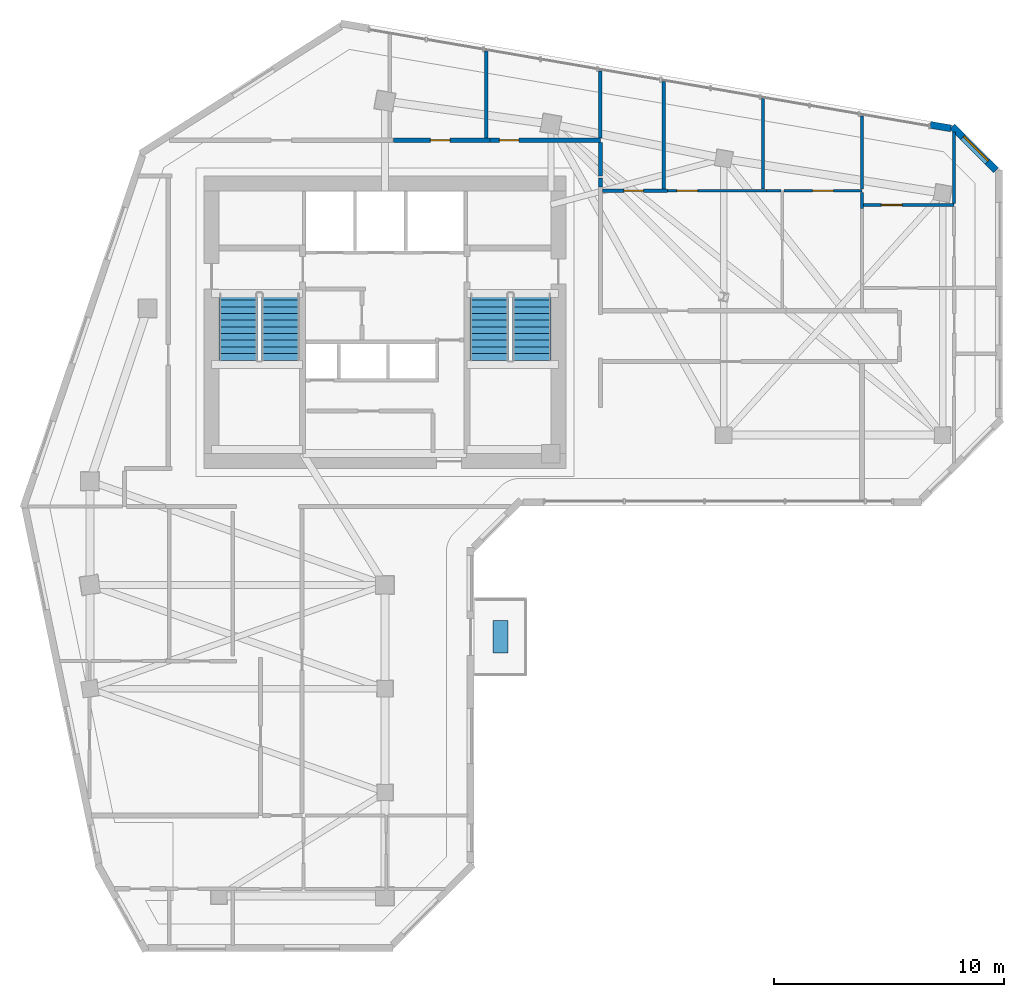
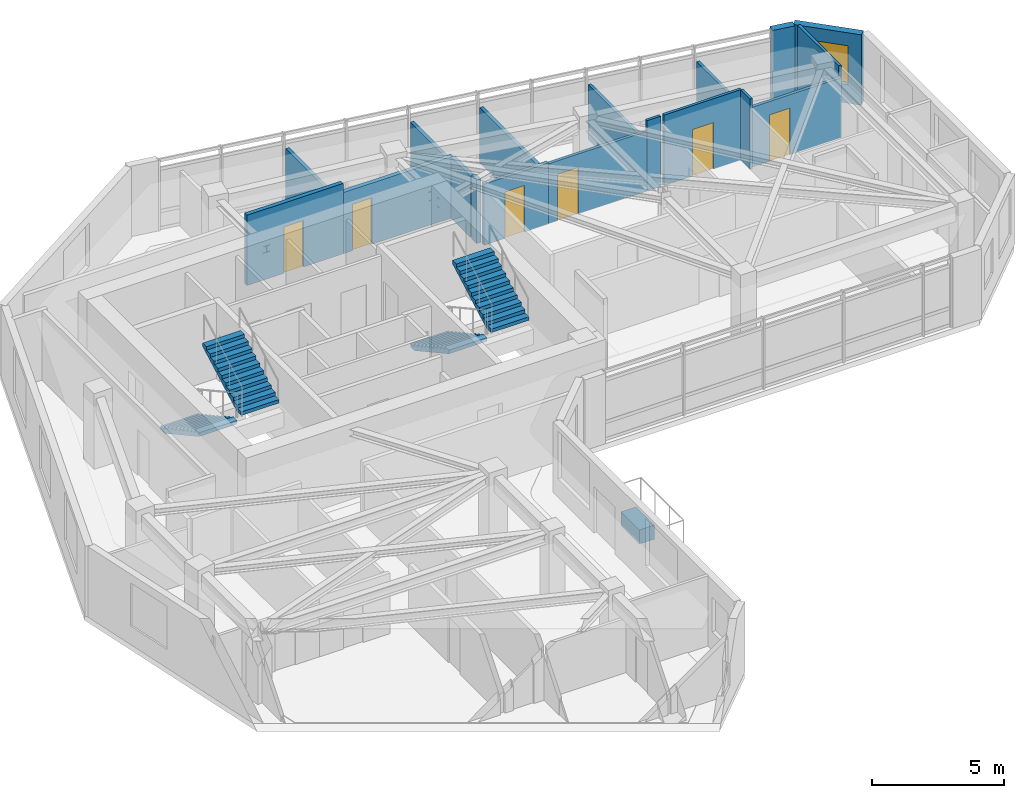
# One storey, part 7 of 10: 18 walls, 6 doors, 4 stair flights, 1 discrete accessory, 1 window, 7 openings, 2 elements without a shape of their own.
"""IFC4 building model written with IfcOpenShell, lengths in metres."""

from ifc_helpers import new_model, si_unit, direction, frame, frame_2d, origin, origin_2d, place, context, subcontext, project, spatial, polyline, rectangle, outline, extrude, source, transform, mapped, material, layer, layer_set, type_object, element, fill, aggregate, save


model = new_model("IFC4")

# Units and contexts
model_context = context("Model", 3, precision=1e-05, world=origin(), true_north=direction((0.0, 1.0)))
body_context = subcontext(model_context, "Body", "Model", "MODEL_VIEW")
ifc_project = project(units=[si_unit("LENGTHUNIT", "METRE"), si_unit("AREAUNIT", "SQUARE_METRE"), si_unit("VOLUMEUNIT", "CUBIC_METRE"), si_unit("PLANEANGLEUNIT", "RADIAN"), si_unit("MASSUNIT", "GRAM", prefix="KILO")], contexts=[model_context])

# Site, building, storey
site_placement = place(None, origin())
site = spatial("IfcSite", under=ifc_project, at=site_placement, CompositionType="ELEMENT")
building_placement = place(site_placement, origin())
building = spatial("IfcBuilding", under=site, at=building_placement, Name="Calvemar Wedge Station Tower", CompositionType="ELEMENT")
storey_placement = place(building_placement, frame((0.0, 0.0, 200.89990234375)))
storey = spatial("IfcBuildingStorey", under=building, at=storey_placement, Name="L50", CompositionType="ELEMENT", Elevation=200.89990234375)

# Wall, opening, door
ifc_material_1 = material(Name="Double-stud fire-rated corridor partition")
ifc_layer_1 = layer(ifc_material_1, 0.179931640625)
ifc_layer_set_1 = layer_set([ifc_layer_1], Name="Double-stud fire-rated corridor partition")
wall_type_1 = type_object("IfcWallType", Name="W-CORR-180", PredefinedType="PARTITIONING", material=ifc_layer_set_1)
wall_1_placement = place(storey_placement, frame((24.162109375, 47.800048828125, 0.0), z_axis=(0.0, 0.0, 1.0), x_axis=(1.0, 0.0, 0.0)))
wall_1 = element("IfcWall", 1, at=wall_1_placement, inside=storey, type_object=wall_type_1, Name="Storey L50 Interior Partition WL-L50-014", PredefinedType="PARTITIONING", context=body_context, shape_type="SweptSolid", body=[
    extrude(rectangle(XDim=4.197998046875, YDim=0.179931640625, at=frame_2d((2.09912109375, 0.0))), origin(), (0.0, 0.0, 1.0), 3.25),
])
shared_shape_1 = source(origin(), body_context, "Body", "SweptSolid", [
    extrude(rectangle(XDim=0.85009765625, YDim=2.14990234375, at=frame_2d((0.425048828125, 1.074951171875))), frame((0.0, 0.10009765625, 0.0), z_axis=(0.0, -1.0, 0.0), x_axis=(1.0, 0.0, 0.0)), (0.0, 0.0, 1.0), 0.199951171875),
])
opening_1_placement = place(wall_1_placement, frame((1.61328125, 0.0, 0.0)))
opening_1 = element("IfcOpeningElement", 2, at=opening_1_placement, cuts=wall_1, Name="Opening D-02", PredefinedType="OPENING", context=body_context, shape_type="MappedRepresentation", body=[
    mapped(shared_shape_1, transform((0.0, 0.0, 0.0), scale=1.0)),
])
ifc_material_2 = material(Name="Moisture-sealed bathroom hardwood swing door", Category="wood")
door_type_1 = type_object("IfcDoorType", Name="DR-WET-850", OperationType="NOTDEFINED", PredefinedType="DOOR", material=ifc_material_2)
shared_shape_2 = source(origin(), body_context, "Body", "SweptSolid", [
    extrude(rectangle(XDim=0.85009765625, YDim=2.14990234375, at=frame_2d((0.425048828125, 1.074951171875))), frame((0.0, 0.02490234375, 0.0), z_axis=(0.0, -1.0, 0.0), x_axis=(1.0, 0.0, 0.0)), (0.0, 0.0, 1.0), 0.050048828125),
])
door_1_placement = place(opening_1_placement, origin())
door_1 = element("IfcDoor", 3, at=door_1_placement, inside=storey, type_object=door_type_1, Name="L50 Accessible WC Door", OperationType="SINGLE_SWING_LEFT", OverallHeight=2.14990234375, OverallWidth=0.85009765625, PredefinedType="DOOR", context=body_context, shape_type="MappedRepresentation", body=[
    mapped(shared_shape_2, transform((0.0, 0.0, 0.0), scale=1.0)),
])
fill(opening_1, door_1)

wall_2_placement = place(storey_placement, frame((28.362060546875, 47.800048828125, 0.0), z_axis=(0.0, 0.0, 1.0), x_axis=(1.0, 0.0, 0.0)))
wall_2 = element("IfcWall", 4, at=wall_2_placement, inside=storey, type_object=wall_type_1, Name="Storey L50 Interior Partition WL-L50-015", PredefinedType="PARTITIONING", context=body_context, shape_type="SweptSolid", body=[
    extrude(rectangle(XDim=4.787841796875, YDim=0.179931640625, at=frame_2d((2.39404296875, 0.0))), origin(), (0.0, 0.0, 1.0), 2.822021484375),
])
opening_2_placement = place(wall_2_placement, frame((0.400634765625, 0.0, 0.0)))
opening_2 = element("IfcOpeningElement", 5, at=opening_2_placement, cuts=wall_2, Name="Opening D-02", PredefinedType="OPENING", context=body_context, shape_type="MappedRepresentation", body=[
    mapped(shared_shape_1, transform((0.0, 0.0, 0.0), scale=1.0)),
])
door_2_placement = place(opening_2_placement, origin())
door_2 = element("IfcDoor", 6, at=door_2_placement, inside=storey, type_object=door_type_1, Name="L50 Storage Room Door", OperationType="SINGLE_SWING_RIGHT", OverallHeight=2.14990234375, OverallWidth=0.85009765625, PredefinedType="DOOR", context=body_context, shape_type="MappedRepresentation", body=[
    mapped(shared_shape_2, transform((0.0, 0.0, 0.0), scale=1.0)),
])
fill(opening_2, door_2)

# Walls
wall_3_placement = place(storey_placement, frame((33.14990234375, 47.7060546875, 0.0), z_axis=(0.0, 0.0, 1.0), x_axis=(0.0, -1.0, 0.0)))
element("IfcWall", 7, at=wall_3_placement, inside=storey, type_object=wall_type_1, Name="Storey L50 Interior Partition WL-L50-016", PredefinedType="PARTITIONING", context=body_context, shape_type="SweptSolid", body=[
    extrude(rectangle(XDim=1.4560546875, YDim=0.179931640625, at=frame_2d((0.72802734375, 0.0))), origin(), (0.0, 0.0, 1.0), 2.822021484375),
])
wall_4_placement = place(storey_placement, frame((33.14990234375, 46.156005859375, 0.0), z_axis=(0.0, 0.0, 1.0), x_axis=(0.0, -1.0, 0.0)))
element("IfcWall", 8, at=wall_4_placement, inside=storey, type_object=wall_type_1, Name="Storey L50 Interior Partition WL-L50-018", PredefinedType="PARTITIONING", context=body_context, shape_type="SweptSolid", body=[
    extrude(rectangle(XDim=0.387939453125, YDim=0.179931640625, at=frame_2d((0.19384765625, 0.0))), origin(), (0.0, 0.0, 1.0), 2.93408203125),
])

# Wall, opening, window
ifc_material_3 = material(Name="Precast concrete C45", Category="concrete")
ifc_layer_2 = layer(ifc_material_3, 0.300048828125)
ifc_layer_set_2 = layer_set([ifc_layer_2], Name="Precast concrete C45")
wall_type_2 = type_object("IfcWallType", Name="W-EXT-GFRC-300", PredefinedType="SOLIDWALL", material=ifc_layer_set_2)
wall_5_placement = place(storey_placement, frame((50.31201171875, 46.5, 0.0), z_axis=(0.0, 0.0, 1.0), x_axis=(-0.707106781187, 0.707106781187, 0.0)))
wall_5 = element("IfcWall", 9, at=wall_5_placement, inside=storey, type_object=wall_type_2, Name="Storey L50 Bronze GFRC Exterior Wall 9", PredefinedType="SOLIDWALL", context=body_context, shape_type="SweptSolid", body=[
    extrude(rectangle(XDim=2.67333984375, YDim=0.300048828125, at=frame_2d((1.336669921875, 0.0))), origin(), (0.0, 0.0, 1.0), 3.25),
])
shared_shape_3 = source(origin(), body_context, "Body", "SweptSolid", [
    extrude(rectangle(XDim=1.5, YDim=1.800048828125, at=frame_2d((0.75, 0.89990234375))), frame((0.0, 0.16015625, 0.0), z_axis=(0.0, -1.0, 0.0), x_axis=(1.0, 0.0, 0.0)), (0.0, 0.0, 1.0), 0.320068359375),
])
opening_3_placement = place(wall_5_placement, frame((0.52392578125, 0.0, 0.85009765625)))
opening_3 = element("IfcOpeningElement", 10, at=opening_3_placement, cuts=wall_5, Name="Opening W3", PredefinedType="OPENING", context=body_context, shape_type="MappedRepresentation", body=[
    mapped(shared_shape_3, transform((0.0, 0.0, 0.0), scale=1.0)),
])
ifc_material_4 = material(Name="Low-E laminated insulated glass", Category="glass")
window_type = type_object("IfcWindowType", Name="WIN-EXT-3", PartitioningType="SINGLE_PANEL", PredefinedType="WINDOW", material=ifc_material_4)
shared_shape_4 = source(origin(), body_context, "Body", "SweptSolid", [
    extrude(rectangle(XDim=1.5, YDim=1.800048828125, at=frame_2d((0.75, 0.89990234375))), frame((0.0, -0.014892578125, 0.0), z_axis=(0.0, -1.0, 0.0), x_axis=(1.0, 0.0, 0.0)), (0.0, 0.0, 1.0), 0.06005859375),
])
window_placement = place(opening_3_placement, origin())
window = element("IfcWindow", 11, at=window_placement, inside=storey, type_object=window_type, Name="Storey L50 Recessed Window 9.1", OverallHeight=1.800048828125, OverallWidth=1.5, PartitioningType="SINGLE_PANEL", PredefinedType="WINDOW", context=body_context, shape_type="MappedRepresentation", body=[
    mapped(shared_shape_4, transform((0.0, 0.0, 0.0), scale=1.0)),
])
fill(opening_3, window)

# Wall
wall_6_placement = place(storey_placement, frame((48.361083984375, 48.31298828125, 0.0), z_axis=(0.0, 0.0, 1.0), x_axis=(-0.985560806516, 0.169321872949, 0.0)))
element("IfcWall", 12, at=wall_6_placement, inside=storey, type_object=wall_type_2, Name="Storey L50 Bronze GFRC Corner Pier 10A", PredefinedType="SOLIDWALL", context=body_context, shape_type="SweptSolid", body=[
    extrude(rectangle(XDim=0.908447265625, YDim=0.300048828125, at=frame_2d((0.4541015625, 0.0))), origin(), (0.0, 0.0, 1.0), 3.25),
])

# Wall, opening, door
ifc_material_5 = material(Name="Insulated acoustic gypsum stud partition")
ifc_layer_3 = layer(ifc_material_5, 0.125)
ifc_layer_set_3 = layer_set([ifc_layer_3], Name="Insulated acoustic gypsum stud partition")
wall_type_3 = type_object("IfcWallType", Name="W-PART-125", PredefinedType="PARTITIONING", material=ifc_layer_set_3)
wall_7_placement = place(storey_placement, frame((36.06201171875, 45.60595703125, 0.0), z_axis=(0.0, 0.0, 1.0), x_axis=(1.0, 0.0, 0.0)))
wall_7 = element("IfcWall", 13, at=wall_7_placement, inside=storey, type_object=wall_type_3, Name="Storey L50 Interior Partition WL-L50-032", PredefinedType="PARTITIONING", context=body_context, shape_type="SweptSolid", body=[
    extrude(rectangle(XDim=4.298095703125, YDim=0.125, at=frame_2d((2.14892578125, 0.0))), origin(), (0.0, 0.0, 1.0), 2.76611328125),
])
shared_shape_5 = source(origin(), body_context, "Body", "SweptSolid", [
    extrude(rectangle(XDim=0.89990234375, YDim=2.14990234375, at=frame_2d((0.449951171875, 1.074951171875))), frame((0.0, 0.072509765625, 0.0), z_axis=(0.0, -1.0, 0.0), x_axis=(1.0, 0.0, 0.0)), (0.0, 0.0, 1.0), 0.14501953125),
])
opening_4_placement = place(wall_7_placement, frame((0.4033203125, 0.0, 0.0)))
opening_4 = element("IfcOpeningElement", 14, at=opening_4_placement, cuts=wall_7, Name="Opening D-01", PredefinedType="OPENING", context=body_context, shape_type="MappedRepresentation", body=[
    mapped(shared_shape_5, transform((0.0, 0.0, 0.0), scale=1.0)),
])
ifc_material_6 = material(Name="Architectural hardwood acoustic swing door", Category="wood")
door_type_2 = type_object("IfcDoorType", Name="DR-INT-900", OperationType="NOTDEFINED", PredefinedType="DOOR", material=ifc_material_6)
shared_shape_6 = source(origin(), body_context, "Body", "SweptSolid", [
    extrude(rectangle(XDim=0.89990234375, YDim=2.14990234375, at=frame_2d((0.449951171875, 1.074951171875))), frame((0.0, 0.02490234375, 0.0), z_axis=(0.0, -1.0, 0.0), x_axis=(1.0, 0.0, 0.0)), (0.0, 0.0, 1.0), 0.050048828125),
])
door_3_placement = place(opening_4_placement, origin())
door_3 = element("IfcDoor", 15, at=door_3_placement, inside=storey, type_object=door_type_2, Name="L50 Master Bedroom Door", OperationType="SINGLE_SWING_RIGHT", OverallHeight=2.14990234375, OverallWidth=0.89990234375, PredefinedType="DOOR", context=body_context, shape_type="MappedRepresentation", body=[
    mapped(shared_shape_6, transform((0.0, 0.0, 0.0), scale=1.0)),
])
fill(opening_4, door_3)

# Wall
wall_8_placement = place(storey_placement, frame((40.362060546875, 45.60595703125, 0.0), z_axis=(0.0, 0.0, 1.0), x_axis=(1.0, 0.0, 0.0)))
element("IfcWall", 16, at=wall_8_placement, inside=storey, type_object=wall_type_3, Name="Storey L50 Interior Partition WL-L50-033", PredefinedType="PARTITIONING", context=body_context, shape_type="SweptSolid", body=[
    extrude(rectangle(XDim=0.613525390625, YDim=0.125, at=frame_2d((0.306640625, 0.0))), origin(), (0.0, 0.0, 1.0), 3.25),
])

# Wall, opening, door
wall_9_placement = place(storey_placement, frame((41.1083984375, 45.60595703125, 0.0), z_axis=(0.0, 0.0, 1.0), x_axis=(1.0, 0.0, 0.0)))
wall_9 = element("IfcWall", 17, at=wall_9_placement, inside=storey, type_object=wall_type_3, Name="Storey L50 Interior Partition WL-L50-034", PredefinedType="PARTITIONING", context=body_context, shape_type="SweptSolid", body=[
    extrude(rectangle(XDim=3.3916015625, YDim=0.125, at=frame_2d((1.69580078125, 0.0))), origin(), (0.0, 0.0, 1.0), 3.25),
])
opening_5_placement = place(wall_9_placement, frame((1.245849609375, 0.0, 0.0)))
opening_5 = element("IfcOpeningElement", 18, at=opening_5_placement, cuts=wall_9, Name="Opening D-01", PredefinedType="OPENING", context=body_context, shape_type="MappedRepresentation", body=[
    mapped(shared_shape_5, transform((0.0, 0.0, 0.0), scale=1.0)),
])
door_4_placement = place(opening_5_placement, origin())
door_4 = element("IfcDoor", 19, at=door_4_placement, inside=storey, type_object=door_type_2, Name="L50 Master Bedroom Door", OperationType="SINGLE_SWING_LEFT", OverallHeight=2.14990234375, OverallWidth=0.89990234375, PredefinedType="DOOR", context=body_context, shape_type="MappedRepresentation", body=[
    mapped(shared_shape_6, transform((0.0, 0.0, 0.0), scale=1.0)),
])
fill(opening_5, door_4)

# Walls
wall_10_placement = place(storey_placement, frame((44.5, 45.53955078125, 0.0), z_axis=(0.0, 0.0, 1.0), x_axis=(0.0, -1.0, 0.0)))
element("IfcWall", 20, at=wall_10_placement, inside=storey, type_object=wall_type_3, Name="Storey L50 Interior Partition WL-L50-035", PredefinedType="PARTITIONING", context=body_context, shape_type="SweptSolid", body=[
    extrude(rectangle(XDim=0.71044921875, YDim=0.125, at=frame_2d((0.355224609375, 0.0))), origin(), (0.0, 0.0, 1.0), 3.25),
])
wall_11_placement = place(storey_placement, frame((40.199951171875, 49.60009765625, 0.0), z_axis=(0.0, 0.0, 1.0), x_axis=(0.0, -1.0, 0.0)))
element("IfcWall", 21, at=wall_11_placement, inside=storey, type_object=wall_type_3, Name="Storey L50 Interior Partition WL-L50-039", PredefinedType="PARTITIONING", context=body_context, shape_type="SweptSolid", body=[
    extrude(rectangle(XDim=3.927490234375, YDim=0.125, at=frame_2d((1.9638671875, 0.0))), origin(), (0.0, 0.0, 1.0), 2.5419921875),
])
wall_12_placement = place(storey_placement, frame((44.5, 48.8603515625, 0.0), z_axis=(0.0, 0.0, 1.0), x_axis=(0.0, -1.0, 0.0)))
element("IfcWall", 22, at=wall_12_placement, inside=storey, type_object=wall_type_3, Name="Storey L50 Interior Partition WL-L50-040", PredefinedType="PARTITIONING", context=body_context, shape_type="SweptSolid", body=[
    extrude(rectangle(XDim=3.187744140625, YDim=0.125, at=frame_2d((1.59375, 0.0))), origin(), (0.0, 0.0, 1.0), 2.5419921875),
])

# Wall, opening, door
wall_13_placement = place(storey_placement, frame((48.5, 44.989013671875, 0.0), z_axis=(0.0, 0.0, 1.0), x_axis=(-1.0, 0.0, 0.0)))
wall_13 = element("IfcWall", 23, at=wall_13_placement, inside=storey, type_object=wall_type_3, Name="Storey L50 Interior Partition WL-L50-041", PredefinedType="PARTITIONING", context=body_context, shape_type="SweptSolid", body=[
    extrude(rectangle(XDim=3.93359375, YDim=0.125, at=frame_2d((1.966796875, 0.0))), origin(), (0.0, 0.0, 1.0), 2.76611328125),
])
opening_6_placement = place(wall_13_placement, frame((2.2587890625, 0.0, 0.0)))
opening_6 = element("IfcOpeningElement", 24, at=opening_6_placement, cuts=wall_13, Name="Opening D-01", PredefinedType="OPENING", context=body_context, shape_type="MappedRepresentation", body=[
    mapped(shared_shape_5, transform((0.0, 0.0, 0.0), scale=1.0)),
])
door_5_placement = place(opening_6_placement, origin())
door_5 = element("IfcDoor", 25, at=door_5_placement, inside=storey, type_object=door_type_2, Name="L50 Study Door", OperationType="SINGLE_SWING_RIGHT", OverallHeight=2.14990234375, OverallWidth=0.89990234375, PredefinedType="DOOR", context=body_context, shape_type="MappedRepresentation", body=[
    mapped(shared_shape_6, transform((0.0, 0.0, 0.0), scale=1.0)),
])
fill(opening_6, door_5)

# Walls
wall_14_placement = place(storey_placement, frame((48.5, 48.149169921875, 0.0), z_axis=(0.0, 0.0, 1.0), x_axis=(0.0, -1.0, 0.0)))
element("IfcWall", 26, at=wall_14_placement, inside=storey, type_object=wall_type_3, Name="Storey L50 Interior Partition WL-L50-042", PredefinedType="PARTITIONING", context=body_context, shape_type="SweptSolid", body=[
    extrude(rectangle(XDim=3.09375, YDim=0.125, at=frame_2d((1.546875, 0.0))), origin(), (0.0, 0.0, 1.0), 3.25),
])
ifc_material_7 = material(Name="Moisture-resistant acoustic bathroom partition")
ifc_layer_4 = layer(ifc_material_7, 0.14990234375)
ifc_layer_set_4 = layer_set([ifc_layer_4], Name="Moisture-resistant acoustic bathroom partition")
wall_type_4 = type_object("IfcWallType", Name="W-WET-150", PredefinedType="PARTITIONING", material=ifc_layer_set_4)
wall_15_placement = place(storey_placement, frame((28.199951171875, 51.66455078125, 0.0), z_axis=(0.0, 0.0, 1.0), x_axis=(0.0, -1.0, 0.0)))
element("IfcWall", 27, at=wall_15_placement, inside=storey, type_object=wall_type_4, Name="Storey L50 Interior Partition WL-L50-022", PredefinedType="PARTITIONING", context=body_context, shape_type="SweptSolid", body=[
    extrude(rectangle(XDim=3.7705078125, YDim=0.14990234375, at=frame_2d((1.88525390625, 0.0))), origin(), (0.0, 0.0, 1.0), 2.5419921875),
])
wall_16_placement = place(storey_placement, frame((33.14990234375, 50.81298828125, 0.0), z_axis=(0.0, 0.0, 1.0), x_axis=(0.0, -1.0, 0.0)))
element("IfcWall", 28, at=wall_16_placement, inside=storey, type_object=wall_type_4, Name="Storey L50 Interior Partition WL-L50-023", PredefinedType="PARTITIONING", context=body_context, shape_type="SweptSolid", body=[
    extrude(rectangle(XDim=2.9189453125, YDim=0.14990234375, at=frame_2d((1.45947265625, 0.0))), origin(), (0.0, 0.0, 1.0), 2.5419921875),
])

# Wall, opening, door
wall_17_placement = place(storey_placement, frame((33.243896484375, 45.60595703125, 0.0), z_axis=(0.0, 0.0, 1.0), x_axis=(1.0, 0.0, 0.0)))
wall_17 = element("IfcWall", 29, at=wall_17_placement, inside=storey, type_object=wall_type_4, Name="Storey L50 Interior Partition WL-L50-031", PredefinedType="PARTITIONING", context=body_context, shape_type="SweptSolid", body=[
    extrude(rectangle(XDim=2.816162109375, YDim=0.14990234375, at=frame_2d((1.408203125, 0.0))), origin(), (0.0, 0.0, 1.0), 2.822021484375),
])
shared_shape_7 = source(origin(), body_context, "Body", "SweptSolid", [
    extrude(rectangle(XDim=0.85009765625, YDim=2.14990234375, at=frame_2d((0.425048828125, 1.074951171875))), frame((0.0, 0.0849609375, 0.0), z_axis=(0.0, -1.0, 0.0), x_axis=(1.0, 0.0, 0.0)), (0.0, 0.0, 1.0), 0.169921875),
])
opening_7_placement = place(wall_17_placement, frame((0.919189453125, 0.0, 0.0)))
opening_7 = element("IfcOpeningElement", 30, at=opening_7_placement, cuts=wall_17, Name="Opening D-02", PredefinedType="OPENING", context=body_context, shape_type="MappedRepresentation", body=[
    mapped(shared_shape_7, transform((0.0, 0.0, 0.0), scale=1.0)),
])
door_6_placement = place(opening_7_placement, origin())
door_6 = element("IfcDoor", 31, at=door_6_placement, inside=storey, type_object=door_type_1, Name="L50 Bathroom Door", OperationType="SINGLE_SWING_LEFT", OverallHeight=2.14990234375, OverallWidth=0.85009765625, PredefinedType="DOOR", context=body_context, shape_type="MappedRepresentation", body=[
    mapped(shared_shape_2, transform((0.0, 0.0, 0.0), scale=1.0)),
])
fill(opening_7, door_6)

# Wall
wall_18_placement = place(storey_placement, frame((35.89990234375, 50.33984375, 0.0), z_axis=(0.0, 0.0, 1.0), x_axis=(0.0, -1.0, 0.0)))
element("IfcWall", 32, at=wall_18_placement, inside=storey, type_object=wall_type_4, Name="Storey L50 Interior Partition WL-L50-038", PredefinedType="PARTITIONING", context=body_context, shape_type="SweptSolid", body=[
    extrude(rectangle(XDim=4.65478515625, YDim=0.14990234375, at=frame_2d((2.327392578125, 0.0))), origin(), (0.0, 0.0, 1.0), 2.5419921875),
])

# Stair, stair flights
ifc_material_8 = material(Name="Concrete C45", Category="concrete")
stair_type = type_object("IfcStairType", Name="ST-TYPE-3500", PredefinedType="HALF_TURN_STAIR", material=ifc_material_8)
stair_1_placement = place(storey_placement, origin())
stair_1 = element("IfcStair", 33, at=stair_1_placement, inside=storey, type_object=stair_type, Name="L50 Pressurized Core Exit Stair ST-C1", PredefinedType="HALF_TURN_STAIR")
stair_flight_type = type_object("IfcStairFlightType", Name="STF-TYPE-3500", PredefinedType="STRAIGHT", material=ifc_material_8)
stair_flight_1_placement = place(storey_placement, frame((17.429931640625, 41.14990234375, 0.0), z_axis=(0.0, 0.0, 1.0), x_axis=(0.0, -1.0, 0.0)))
stair_flight_1 = element("IfcStairFlight", 34, at=stair_flight_1_placement, type_object=stair_flight_type, Name="ST-C1 flight 1", NumberOfRisers=11, NumberOfTreads=10, PredefinedType="STRAIGHT", RiserHeight=0.159090909, TreadLength=0.29, context=body_context, shape_type="SweptSolid", body=[
    extrude(outline(polyline([(0.0, 0.0), (0.0, 0.1591796875), (0.2900390625, 0.1591796875), (0.2900390625, 0.318115234375), (0.580078125, 0.318115234375), (0.580078125, 0.477294921875), (0.8701171875, 0.477294921875), (0.8701171875, 0.636474609375), (1.159912109375, 0.636474609375), (1.159912109375, 0.79541015625), (1.449951171875, 0.79541015625), (1.449951171875, 0.95458984375), (1.739990234375, 0.95458984375), (1.739990234375, 1.113525390625), (2.030029296875, 1.113525390625), (2.030029296875, 1.272705078125), (2.320068359375, 1.272705078125), (2.320068359375, 1.431884765625), (2.610107421875, 1.431884765625), (2.610107421875, 1.5908203125), (2.89990234375, 1.5908203125), (2.89990234375, 1.75), (2.89990234375, 1.419921875), (0.311767578125, 0.0), (0.0, 0.0)])), frame((0.0, 0.830078125, 0.0), z_axis=(0.0, -1.0, 0.0), x_axis=(1.0, 0.0, 0.0)), (0.0, 0.0, 1.0), 1.659912109375),
])
stair_flight_2_placement = place(storey_placement, frame((19.27001953125, 38.25, 1.75), z_axis=(0.0, 0.0, 1.0), x_axis=(0.0, 1.0, 0.0)))
stair_flight_2 = element("IfcStairFlight", 35, at=stair_flight_2_placement, type_object=stair_flight_type, Name="ST-C1 flight 2", NumberOfRisers=11, NumberOfTreads=10, PredefinedType="STRAIGHT", RiserHeight=0.159090909, TreadLength=0.29, context=body_context, shape_type="SweptSolid", body=[
    extrude(outline(polyline([(0.0, 0.0), (0.0, 0.1591796875), (0.2900390625, 0.1591796875), (0.2900390625, 0.318115234375), (0.580078125, 0.318115234375), (0.580078125, 0.477294921875), (0.8701171875, 0.477294921875), (0.8701171875, 0.636474609375), (1.159912109375, 0.636474609375), (1.159912109375, 0.79541015625), (1.449951171875, 0.79541015625), (1.449951171875, 0.95458984375), (1.739990234375, 0.95458984375), (1.739990234375, 1.113525390625), (2.030029296875, 1.113525390625), (2.030029296875, 1.272705078125), (2.320068359375, 1.272705078125), (2.320068359375, 1.431884765625), (2.610107421875, 1.431884765625), (2.610107421875, 1.5908203125), (2.89990234375, 1.5908203125), (2.89990234375, 1.75), (2.89990234375, 1.419921875), (0.311767578125, 0.0), (0.0, 0.0)])), frame((0.0, 0.830078125, 0.0), z_axis=(0.0, -1.0, 0.0), x_axis=(1.0, 0.0, 0.0)), (0.0, 0.0, 1.0), 1.659912109375),
])
aggregate(stair_1, [stair_flight_1, stair_flight_2])

stair_2_placement = place(storey_placement, origin())
stair_2 = element("IfcStair", 36, at=stair_2_placement, inside=storey, type_object=stair_type, Name="L50 Pressurized Core Exit Stair ST-C2", PredefinedType="HALF_TURN_STAIR")
stair_flight_3_placement = place(storey_placement, frame((28.330078125, 41.14990234375, 0.0), z_axis=(0.0, 0.0, 1.0), x_axis=(0.0, -1.0, 0.0)))
stair_flight_3 = element("IfcStairFlight", 37, at=stair_flight_3_placement, type_object=stair_flight_type, Name="ST-C2 flight 1", NumberOfRisers=11, NumberOfTreads=10, PredefinedType="STRAIGHT", RiserHeight=0.159090909, TreadLength=0.29, context=body_context, shape_type="SweptSolid", body=[
    extrude(outline(polyline([(0.0, 0.0), (0.0, 0.1591796875), (0.2900390625, 0.1591796875), (0.2900390625, 0.318115234375), (0.580078125, 0.318115234375), (0.580078125, 0.477294921875), (0.8701171875, 0.477294921875), (0.8701171875, 0.636474609375), (1.159912109375, 0.636474609375), (1.159912109375, 0.79541015625), (1.449951171875, 0.79541015625), (1.449951171875, 0.95458984375), (1.739990234375, 0.95458984375), (1.739990234375, 1.113525390625), (2.030029296875, 1.113525390625), (2.030029296875, 1.272705078125), (2.320068359375, 1.272705078125), (2.320068359375, 1.431884765625), (2.610107421875, 1.431884765625), (2.610107421875, 1.5908203125), (2.89990234375, 1.5908203125), (2.89990234375, 1.75), (2.89990234375, 1.419921875), (0.311767578125, 0.0), (0.0, 0.0)])), frame((0.0, 0.830078125, 0.0), z_axis=(0.0, -1.0, 0.0), x_axis=(1.0, 0.0, 0.0)), (0.0, 0.0, 1.0), 1.659912109375),
])
stair_flight_4_placement = place(storey_placement, frame((30.169921875, 38.25, 1.75), z_axis=(0.0, 0.0, 1.0), x_axis=(0.0, 1.0, 0.0)))
stair_flight_4 = element("IfcStairFlight", 38, at=stair_flight_4_placement, type_object=stair_flight_type, Name="ST-C2 flight 2", NumberOfRisers=11, NumberOfTreads=10, PredefinedType="STRAIGHT", RiserHeight=0.159090909, TreadLength=0.29, context=body_context, shape_type="SweptSolid", body=[
    extrude(outline(polyline([(0.0, 0.0), (0.0, 0.1591796875), (0.2900390625, 0.1591796875), (0.2900390625, 0.318115234375), (0.580078125, 0.318115234375), (0.580078125, 0.477294921875), (0.8701171875, 0.477294921875), (0.8701171875, 0.636474609375), (1.159912109375, 0.636474609375), (1.159912109375, 0.79541015625), (1.449951171875, 0.79541015625), (1.449951171875, 0.95458984375), (1.739990234375, 0.95458984375), (1.739990234375, 1.113525390625), (2.030029296875, 1.113525390625), (2.030029296875, 1.272705078125), (2.320068359375, 1.272705078125), (2.320068359375, 1.431884765625), (2.610107421875, 1.431884765625), (2.610107421875, 1.5908203125), (2.89990234375, 1.5908203125), (2.89990234375, 1.75), (2.89990234375, 1.419921875), (0.311767578125, 0.0), (0.0, 0.0)])), frame((0.0, 0.830078125, 0.0), z_axis=(0.0, -1.0, 0.0), x_axis=(1.0, 0.0, 0.0)), (0.0, 0.0, 1.0), 1.659912109375),
])
aggregate(stair_2, [stair_flight_3, stair_flight_4])

# Discrete accessory
discrete_accessory_type = type_object("IfcDiscreteAccessoryType", Name="ACC-PLANTER", PredefinedType="USERDEFINED", material=ifc_material_3)
shared_shape_8 = source(origin(), body_context, "Body", "SweptSolid", [
    extrude(rectangle(XDim=0.64990234375, YDim=1.39990234375, at=origin_2d()), origin(), (0.0, 0.0, 1.0), 0.64990234375),
])
discrete_accessory_placement = place(storey_placement, frame((28.81396484375, 26.25, 0.000244140625), z_axis=(0.0, 0.0, 1.0), x_axis=(1.0, 0.0, 0.0)))
element("IfcDiscreteAccessory", 39, at=discrete_accessory_placement, inside=storey, type_object=discrete_accessory_type, Name="Storey L50 Planted Terrace GFRC Planter", ObjectType="PLANTER", PredefinedType="USERDEFINED", context=body_context, shape_type="MappedRepresentation", body=[
    mapped(shared_shape_8, transform((0.0, 0.0, 0.0), scale=1.0)),
])

save(model, "model.ifc")
